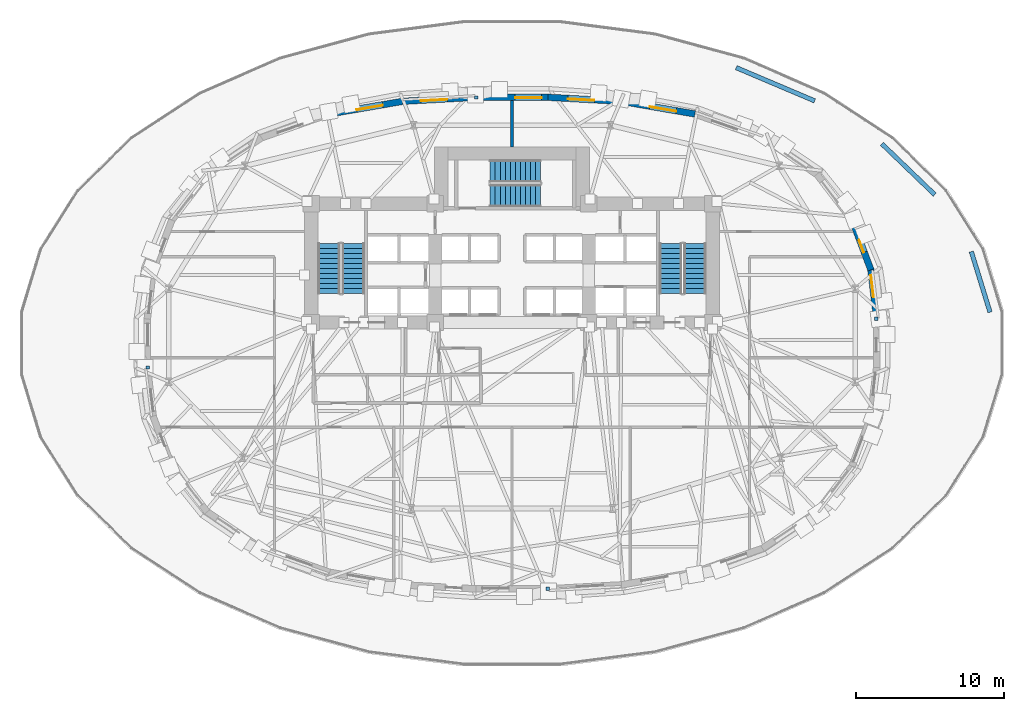
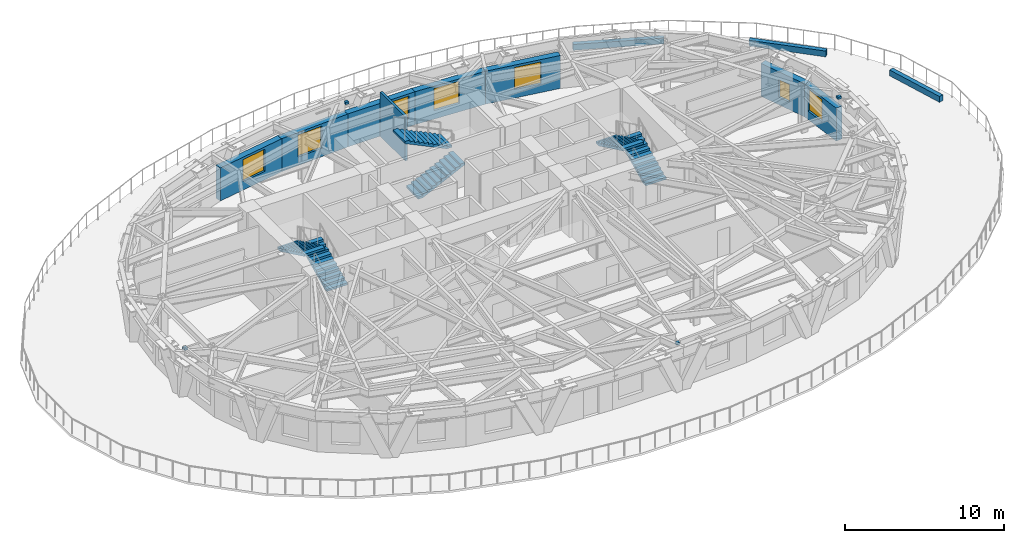
# One storey, part 9 of 14: 11 walls, 7 windows, 6 stair flights, 4 discrete accessories, 7 openings, 3 elements without a shape of their own.
"""IFC4 building model written with IfcOpenShell, lengths in metres."""

from ifc_helpers import new_model, si_unit, direction, frame, frame_2d, origin, origin_2d, place, context, subcontext, project, spatial, polyline, rectangle, outline, extrude, material, layer, layer_set, type_object, element, fill, aggregate, save


model = new_model("IFC4")

# Units and contexts
model_context = context("Model", 3, precision=1e-05, world=origin(), true_north=direction((0.0, 1.0)))
body_context = subcontext(model_context, "Body", "Model", "MODEL_VIEW")
ifc_project = project(units=[si_unit("LENGTHUNIT", "METRE"), si_unit("AREAUNIT", "SQUARE_METRE"), si_unit("VOLUMEUNIT", "CUBIC_METRE"), si_unit("PLANEANGLEUNIT", "RADIAN"), si_unit("MASSUNIT", "GRAM", prefix="KILO")], contexts=[model_context])

# Site, building, storey
site_placement = place(None, origin())
site = spatial("IfcSite", under=ifc_project, at=site_placement, CompositionType="ELEMENT")
building_placement = place(site_placement, origin())
building = spatial("IfcBuilding", under=site, at=building_placement, Name="Keldmark Tower", CompositionType="ELEMENT")
storey_placement = place(building_placement, frame((0.0, 0.0, 27.0)))
storey = spatial("IfcBuildingStorey", under=building, at=storey_placement, Name="L06", CompositionType="ELEMENT", Elevation=27.0)

# Walls
ifc_material_1 = material(Name="STC-58 Insulated Tenant Demising Gypsum Partition", Category="gypsum")
ifc_layer_1 = layer(ifc_material_1, 0.175048828125)
ifc_layer_set_1 = layer_set([ifc_layer_1], Name="STC-58 Insulated Tenant Demising Gypsum Partition")
wall_type_1 = type_object("IfcWallType", Name="Demising Suite Partition 175 mm", PredefinedType="PARTITIONING", material=ifc_layer_set_1)
wall_1_placement = place(storey_placement, frame((0.0, 13.300048828125, 0.0), z_axis=(0.0, 0.0, 1.0), x_axis=(0.0, 1.0, 0.0)))
element("IfcWall", 1, at=wall_1_placement, inside=storey, type_object=wall_type_1, Name="L06 Demising Suite Partition 175 mm N-MID-DIV", PredefinedType="PARTITIONING", context=body_context, shape_type="SweptSolid", body=[
    extrude(rectangle(XDim=3.127685546875, YDim=0.175048828125, at=frame_2d((1.56396484375, 0.0))), origin(), (0.0, 0.0, 1.0), 3.39990234375),
])
ifc_material_2 = material(Name="Ironspot Manganese Brick Planter Masonry", Category="masonry")
ifc_layer_2 = layer(ifc_material_2, 0.300048828125)
ifc_layer_set_2 = layer_set([ifc_layer_2], Name="Ironspot Manganese Brick Planter Masonry")
wall_type_2 = type_object("IfcWallType", Name="Terrace Brick Planter Kerb Wall 300 mm", PredefinedType="PARAPET", material=ifc_layer_set_2)
wall_2_placement = place(storey_placement, frame((32.390625, 2.09521484375, 0.0), z_axis=(0.0, 0.0, 1.0), x_axis=(-0.294441252458, 0.95566958142, 0.0)))
element("IfcWall", 2, at=wall_2_placement, inside=storey, type_object=wall_type_2, Name="L06 Sky Garden Planter 01", PredefinedType="PARAPET", context=body_context, shape_type="SweptSolid", body=[
    extrude(rectangle(XDim=4.2958984375, YDim=0.300048828125, at=frame_2d((2.14794921875, 0.0))), origin(), (0.0, 0.0, 1.0), 0.449951171875),
])
wall_3_placement = place(storey_placement, frame((28.64794921875, 10.05615234375, 0.0), z_axis=(0.0, 0.0, 1.0), x_axis=(-0.720874531969, 0.69306558792, 0.0)))
element("IfcWall", 3, at=wall_3_placement, inside=storey, type_object=wall_type_2, Name="L06 Sky Garden Planter 03", PredefinedType="PARAPET", context=body_context, shape_type="SweptSolid", body=[
    extrude(rectangle(XDim=4.977783203125, YDim=0.300048828125, at=frame_2d((2.48876953125, 0.0))), origin(), (0.0, 0.0, 1.0), 0.449951171875),
])
wall_4_placement = place(storey_placement, frame((20.510498046875, 16.41259765625, 0.0), z_axis=(0.0, 0.0, 1.0), x_axis=(-0.92078980582, 0.390059141026, 0.0)))
element("IfcWall", 4, at=wall_4_placement, inside=storey, type_object=wall_type_2, Name="L06 Sky Garden Planter 05", PredefinedType="PARAPET", context=body_context, shape_type="SweptSolid", body=[
    extrude(rectangle(XDim=5.77587890625, YDim=0.300048828125, at=frame_2d((2.887939453125, 0.0))), origin(), (0.0, 0.0, 1.0), 0.449951171875),
])

# Wall, opening, window
ifc_material_3 = material(Name="Ironspot Manganese Brick and Kasota Buff Limestone Spandrel Assembly", Category="masonry")
ifc_layer_3 = layer(ifc_material_3, 0.43994140625)
ifc_layer_set_3 = layer_set([ifc_layer_3], Name="Ironspot Manganese Brick and Kasota Buff Limestone Spandrel Assembly")
wall_type_3 = type_object("IfcWallType", Name="Tower Brick Pier and Spandrel Wall 440 mm", PredefinedType="STANDARD", material=ifc_layer_set_3)
wall_5_placement = place(storey_placement, frame((24.30810546875, 5.01025390625, 0.0), z_axis=(0.0, 0.0, 1.0), x_axis=(0.118754274869, -0.992923673905, 0.0)))
wall_5 = element("IfcWall", 5, at=wall_5_placement, inside=storey, type_object=wall_type_3, Name="L06 Exterior Brick and Spandrel Wall 01", PredefinedType="STANDARD", context=body_context, shape_type="SweptSolid", body=[
    extrude(rectangle(XDim=3.398193359375, YDim=0.43994140625, at=frame_2d((1.69921875, 0.0))), origin(), (0.0, 0.0, 1.0), 2.532958984375),
])
opening_1_placement = place(wall_5_placement, frame((0.39990234375, 0.0, 0.64990234375)))
opening_1 = element("IfcOpeningElement", 6, at=opening_1_placement, cuts=wall_5, Name="Opening W-03", PredefinedType="OPENING", context=body_context, shape_type="SweptSolid", body=[
    extrude(rectangle(XDim=1.5, YDim=1.699951171875, at=frame_2d((0.75, 0.85009765625))), frame((0.0, 0.22998046875, 0.0), z_axis=(0.0, -1.0, 0.0), x_axis=(1.0, 0.0, 0.0)), (0.0, 0.0, 1.0), 0.4599609375),
])
ifc_material_4 = material(Name="Thermally Broken Anodized Aluminum and Triple Low-E Argon Glazing", Category="aluminium")
window_type_1 = type_object("IfcWindowType", Name="Office Corner Deep-Set Window 1500x1700", PartitioningType="DOUBLE_PANEL_VERTICAL", PredefinedType="WINDOW", material=ifc_material_4)
window_1_placement = place(opening_1_placement, origin())
window_1 = element("IfcWindow", 7, at=window_1_placement, inside=storey, type_object=window_type_1, Name="L06 Deep-Set Window 01", OverallHeight=1.699951171875, OverallWidth=1.5, PartitioningType="SINGLE_PANEL", PredefinedType="WINDOW", context=body_context, shape_type="SweptSolid", body=[
    extrude(rectangle(XDim=1.5, YDim=1.699951171875, at=frame_2d((0.75, 0.85009765625))), frame((0.0, -0.010009765625, 0.0), z_axis=(0.0, -1.0, 0.0), x_axis=(1.0, 0.0, 0.0)), (0.0, 0.0, 1.0), 0.06005859375),
])
fill(opening_1, window_1)

wall_6_placement = place(storey_placement, frame((23.05029296875, 8.337158203125, 0.0), z_axis=(0.0, 0.0, 1.0), x_axis=(0.351960996761, -0.936014666957, 0.0)))
wall_6 = element("IfcWall", 8, at=wall_6_placement, inside=storey, type_object=wall_type_3, Name="L06 Exterior Brick and Spandrel Wall 02", PredefinedType="STANDARD", context=body_context, shape_type="SweptSolid", body=[
    extrude(rectangle(XDim=3.609130859375, YDim=0.43994140625, at=frame_2d((1.8046875, 0.0))), origin(), (0.0, 0.0, 1.0), 2.532958984375),
])
opening_2_placement = place(wall_6_placement, frame((1.42822265625, 0.0, 0.580078125)))
opening_2 = element("IfcOpeningElement", 9, at=opening_2_placement, cuts=wall_6, Name="Opening W-09", PredefinedType="OPENING", context=body_context, shape_type="SweptSolid", body=[
    extrude(rectangle(XDim=0.89990234375, YDim=1.35009765625, at=frame_2d((0.449951171875, 0.675048828125))), frame((0.0, 0.22998046875, 0.0), z_axis=(0.0, -1.0, 0.0), x_axis=(1.0, 0.0, 0.0)), (0.0, 0.0, 1.0), 0.4599609375),
])
ifc_material_5 = material(Name="Thermally Broken Anodized Aluminum and Triple Low-E Argon Glazing", Category="aluminium")
window_type_2 = type_object("IfcWindowType", Name="Corner Pier Deep-Set Window 900x1350", PartitioningType="SINGLE_PANEL", PredefinedType="WINDOW", material=ifc_material_5)
window_2_placement = place(opening_2_placement, origin())
window_2 = element("IfcWindow", 10, at=window_2_placement, inside=storey, type_object=window_type_2, Name="L06 Deep-Set Window 02", OverallHeight=1.35009765625, OverallWidth=0.89990234375, PartitioningType="SINGLE_PANEL", PredefinedType="WINDOW", context=body_context, shape_type="SweptSolid", body=[
    extrude(rectangle(XDim=0.89990234375, YDim=1.35009765625, at=frame_2d((0.449951171875, 0.675048828125))), frame((0.0, -0.010009765625, 0.0), z_axis=(0.0, -1.0, 0.0), x_axis=(1.0, 0.0, 0.0)), (0.0, 0.0, 1.0), 0.06005859375),
])
fill(opening_2, window_2)

wall_7_placement = place(storey_placement, frame((7.402587890625, 16.3857421875, 0.0), z_axis=(0.0, 0.0, 1.0), x_axis=(0.985480149415, -0.169790680278, 0.0)))
wall_7 = element("IfcWall", 11, at=wall_7_placement, inside=storey, type_object=wall_type_3, Name="L06 Exterior Brick and Spandrel Wall 06", PredefinedType="STANDARD", context=body_context, shape_type="SweptSolid", body=[
    extrude(rectangle(XDim=5.064208984375, YDim=0.43994140625, at=frame_2d((2.5322265625, 0.0))), origin(), (0.0, 0.0, 1.0), 2.532958984375),
])
opening_3_placement = place(wall_7_placement, frame((1.977783203125, 0.0, 0.64990234375)))
opening_3 = element("IfcOpeningElement", 12, at=opening_3_placement, cuts=wall_7, Name="Opening W-02", PredefinedType="OPENING", context=body_context, shape_type="SweptSolid", body=[
    extrude(rectangle(XDim=1.800048828125, YDim=1.699951171875, at=frame_2d((0.89990234375, 0.85009765625))), frame((0.0, 0.22998046875, 0.0), z_axis=(0.0, -1.0, 0.0), x_axis=(1.0, 0.0, 0.0)), (0.0, 0.0, 1.0), 0.4599609375),
])
ifc_material_6 = material(Name="Thermally Broken Anodized Aluminum and Triple Low-E Argon Glazing", Category="aluminium")
window_type_3 = type_object("IfcWindowType", Name="Office Deep-Set Triple Window 1800x1700", PartitioningType="TRIPLE_PANEL_VERTICAL", PredefinedType="WINDOW", material=ifc_material_6)
window_3_placement = place(opening_3_placement, origin())
window_3 = element("IfcWindow", 13, at=window_3_placement, inside=storey, type_object=window_type_3, Name="L06 Deep-Set Window 06", OverallHeight=1.699951171875, OverallWidth=1.800048828125, PartitioningType="SINGLE_PANEL", PredefinedType="WINDOW", context=body_context, shape_type="SweptSolid", body=[
    extrude(rectangle(XDim=1.800048828125, YDim=1.699951171875, at=frame_2d((0.89990234375, 0.85009765625))), frame((0.0, -0.010009765625, 0.0), z_axis=(0.0, -1.0, 0.0), x_axis=(1.0, 0.0, 0.0)), (0.0, 0.0, 1.0), 0.06005859375),
])
fill(opening_3, window_3)

wall_8_placement = place(storey_placement, frame((2.443359375, 16.656005859375, 0.0), z_axis=(0.0, 0.0, 1.0), x_axis=(0.998501456853, -0.054725137396, 0.0)))
wall_8 = element("IfcWall", 14, at=wall_8_placement, inside=storey, type_object=wall_type_3, Name="L06 Exterior Brick and Spandrel Wall 07", PredefinedType="STANDARD", context=body_context, shape_type="SweptSolid", body=[
    extrude(rectangle(XDim=4.9921875, YDim=0.43994140625, at=frame_2d((2.49609375, 0.0))), origin(), (0.0, 0.0, 1.0), 2.532958984375),
])
opening_4_placement = place(wall_8_placement, frame((1.3466796875, 0.0, 0.64990234375)))
opening_4 = element("IfcOpeningElement", 15, at=opening_4_placement, cuts=wall_8, Name="Opening W-02", PredefinedType="OPENING", context=body_context, shape_type="SweptSolid", body=[
    extrude(rectangle(XDim=1.800048828125, YDim=1.699951171875, at=frame_2d((0.89990234375, 0.85009765625))), frame((0.0, 0.22998046875, 0.0), z_axis=(0.0, -1.0, 0.0), x_axis=(1.0, 0.0, 0.0)), (0.0, 0.0, 1.0), 0.4599609375),
])
window_4_placement = place(opening_4_placement, origin())
window_4 = element("IfcWindow", 16, at=window_4_placement, inside=storey, type_object=window_type_3, Name="L06 Deep-Set Window 07", OverallHeight=1.699951171875, OverallWidth=1.800048828125, PartitioningType="SINGLE_PANEL", PredefinedType="WINDOW", context=body_context, shape_type="SweptSolid", body=[
    extrude(rectangle(XDim=1.800048828125, YDim=1.699951171875, at=frame_2d((0.89990234375, 0.85009765625))), frame((0.0, -0.010009765625, 0.0), z_axis=(0.0, -1.0, 0.0), x_axis=(1.0, 0.0, 0.0)), (0.0, 0.0, 1.0), 0.06005859375),
])
fill(opening_4, window_4)

wall_9_placement = place(storey_placement, frame((-2.455322265625, 16.65576171875, 0.0), z_axis=(0.0, 0.0, 1.0), x_axis=(1.0, 0.0, 0.0)))
wall_9 = element("IfcWall", 17, at=wall_9_placement, inside=storey, type_object=wall_type_3, Name="L06 Exterior Brick and Spandrel Wall 08", PredefinedType="STANDARD", context=body_context, shape_type="SweptSolid", body=[
    extrude(rectangle(XDim=4.91064453125, YDim=0.43994140625, at=frame_2d((2.455322265625, 0.0))), origin(), (0.0, 0.0, 1.0), 2.532958984375),
])
opening_5_placement = place(wall_9_placement, frame((2.664306640625, 0.0, 0.64990234375)))
opening_5 = element("IfcOpeningElement", 18, at=opening_5_placement, cuts=wall_9, Name="Opening W-02", PredefinedType="OPENING", context=body_context, shape_type="SweptSolid", body=[
    extrude(rectangle(XDim=1.800048828125, YDim=1.699951171875, at=frame_2d((0.89990234375, 0.85009765625))), frame((0.0, 0.22998046875, 0.0), z_axis=(0.0, -1.0, 0.0), x_axis=(1.0, 0.0, 0.0)), (0.0, 0.0, 1.0), 0.4599609375),
])
window_5_placement = place(opening_5_placement, origin())
window_5 = element("IfcWindow", 19, at=window_5_placement, inside=storey, type_object=window_type_3, Name="L06 Deep-Set Window 08", OverallHeight=1.699951171875, OverallWidth=1.800048828125, PartitioningType="SINGLE_PANEL", PredefinedType="WINDOW", context=body_context, shape_type="SweptSolid", body=[
    extrude(rectangle(XDim=1.800048828125, YDim=1.699951171875, at=frame_2d((0.89990234375, 0.85009765625))), frame((0.0, -0.010009765625, 0.0), z_axis=(0.0, -1.0, 0.0), x_axis=(1.0, 0.0, 0.0)), (0.0, 0.0, 1.0), 0.06005859375),
])
fill(opening_5, window_5)

wall_10_placement = place(storey_placement, frame((-7.427978515625, 16.3828125, 0.0), z_axis=(0.0, 0.0, 1.0), x_axis=(0.998501456853, 0.054725137396, 0.0)))
wall_10 = element("IfcWall", 20, at=wall_10_placement, inside=storey, type_object=wall_type_3, Name="L06 Exterior Brick and Spandrel Wall 09", PredefinedType="STANDARD", context=body_context, shape_type="SweptSolid", body=[
    extrude(rectangle(XDim=4.9921875, YDim=0.43994140625, at=frame_2d((2.49609375, 0.0))), origin(), (0.0, 0.0, 1.0), 2.532958984375),
])
opening_6_placement = place(wall_10_placement, frame((1.2470703125, 0.0, 0.64990234375)))
opening_6 = element("IfcOpeningElement", 21, at=opening_6_placement, cuts=wall_10, Name="Opening W-02", PredefinedType="OPENING", context=body_context, shape_type="SweptSolid", body=[
    extrude(rectangle(XDim=1.800048828125, YDim=1.699951171875, at=frame_2d((0.89990234375, 0.85009765625))), frame((0.0, 0.22998046875, 0.0), z_axis=(0.0, -1.0, 0.0), x_axis=(1.0, 0.0, 0.0)), (0.0, 0.0, 1.0), 0.4599609375),
])
window_6_placement = place(opening_6_placement, origin())
window_6 = element("IfcWindow", 22, at=window_6_placement, inside=storey, type_object=window_type_3, Name="L06 Deep-Set Window 09", OverallHeight=1.699951171875, OverallWidth=1.800048828125, PartitioningType="SINGLE_PANEL", PredefinedType="WINDOW", context=body_context, shape_type="SweptSolid", body=[
    extrude(rectangle(XDim=1.800048828125, YDim=1.699951171875, at=frame_2d((0.89990234375, 0.85009765625))), frame((0.0, -0.010009765625, 0.0), z_axis=(0.0, -1.0, 0.0), x_axis=(1.0, 0.0, 0.0)), (0.0, 0.0, 1.0), 0.06005859375),
])
fill(opening_6, window_6)

wall_11_placement = place(storey_placement, frame((-12.393310546875, 15.52587890625, 0.0), z_axis=(0.0, 0.0, 1.0), x_axis=(0.985480149415, 0.169790680278, 0.0)))
wall_11 = element("IfcWall", 23, at=wall_11_placement, inside=storey, type_object=wall_type_3, Name="L06 Exterior Brick and Spandrel Wall 10", PredefinedType="STANDARD", context=body_context, shape_type="SweptSolid", body=[
    extrude(rectangle(XDim=5.064208984375, YDim=0.43994140625, at=frame_2d((2.5322265625, 0.0))), origin(), (0.0, 0.0, 1.0), 2.532958984375),
])
opening_7_placement = place(wall_11_placement, frame((1.87890625, 0.0, 0.64990234375)))
opening_7 = element("IfcOpeningElement", 24, at=opening_7_placement, cuts=wall_11, Name="Opening W-02", PredefinedType="OPENING", context=body_context, shape_type="SweptSolid", body=[
    extrude(rectangle(XDim=1.800048828125, YDim=1.699951171875, at=frame_2d((0.89990234375, 0.85009765625))), frame((0.0, 0.22998046875, 0.0), z_axis=(0.0, -1.0, 0.0), x_axis=(1.0, 0.0, 0.0)), (0.0, 0.0, 1.0), 0.4599609375),
])
window_7_placement = place(opening_7_placement, origin())
window_7 = element("IfcWindow", 25, at=window_7_placement, inside=storey, type_object=window_type_3, Name="L06 Deep-Set Window 10", OverallHeight=1.699951171875, OverallWidth=1.800048828125, PartitioningType="SINGLE_PANEL", PredefinedType="WINDOW", context=body_context, shape_type="SweptSolid", body=[
    extrude(rectangle(XDim=1.800048828125, YDim=1.699951171875, at=frame_2d((0.89990234375, 0.85009765625))), frame((0.0, -0.010009765625, 0.0), z_axis=(0.0, -1.0, 0.0), x_axis=(1.0, 0.0, 0.0)), (0.0, 0.0, 1.0), 0.06005859375),
])
fill(opening_7, window_7)

# Stair, stair flights
ifc_material_7 = material(Name="Concrete C40/50", Category="concrete")
stair_type = type_object("IfcStairType", Name="Precast Concrete Core Exit Stair", PredefinedType="HALF_TURN_STAIR", material=ifc_material_7)
stair_1_placement = place(storey_placement, origin())
stair_1 = element("IfcStair", 26, at=stair_1_placement, inside=storey, type_object=stair_type, Name="L06 Exit Stair ST1", PredefinedType="HALF_TURN_STAIR")
ifc_material_8 = material(Name="Concrete C40/50", Category="concrete")
stair_flight_type = type_object("IfcStairFlightType", Name="Precast Concrete Stair Flight 1500 mm", PredefinedType="STRAIGHT", material=ifc_material_8)
stair_flight_1_placement = place(storey_placement, frame((-10.75, 3.35009765625, 0.0), z_axis=(0.0, 0.0, 1.0), x_axis=(0.0, 1.0, 0.0)))
stair_flight_1 = element("IfcStairFlight", 27, at=stair_flight_1_placement, type_object=stair_flight_type, Name="ST1 flight 1", NumberOfRisers=11, NumberOfTreads=10, PredefinedType="STRAIGHT", RiserHeight=0.163636364, TreadLength=0.34, context=body_context, shape_type="SweptSolid", body=[
    extrude(outline(polyline([(0.0, 0.0), (0.0, 0.16357421875), (0.340087890625, 0.16357421875), (0.340087890625, 0.327392578125), (0.679931640625, 0.327392578125), (0.679931640625, 0.490966796875), (1.02001953125, 0.490966796875), (1.02001953125, 0.654541015625), (1.360107421875, 0.654541015625), (1.360107421875, 0.818115234375), (1.699951171875, 0.818115234375), (1.699951171875, 0.98193359375), (2.0400390625, 0.98193359375), (2.0400390625, 1.1455078125), (2.3798828125, 1.1455078125), (2.3798828125, 1.30908203125), (2.719970703125, 1.30908203125), (2.719970703125, 1.47265625), (3.06005859375, 1.47265625), (3.06005859375, 1.636474609375), (3.39990234375, 1.636474609375), (3.39990234375, 1.800048828125), (3.39990234375, 1.469970703125), (0.345703125, 0.0), (0.0, 0.0)])), frame((0.0, 0.75, 0.0), z_axis=(0.0, -1.0, 0.0), x_axis=(1.0, 0.0, 0.0)), (0.0, 0.0, 1.0), 1.5),
])
stair_flight_2_placement = place(storey_placement, frame((-12.39990234375, 6.75, 1.800048828125), z_axis=(0.0, 0.0, 1.0), x_axis=(0.0, -1.0, 0.0)))
stair_flight_2 = element("IfcStairFlight", 28, at=stair_flight_2_placement, type_object=stair_flight_type, Name="ST1 flight 2", NumberOfRisers=11, NumberOfTreads=10, PredefinedType="STRAIGHT", RiserHeight=0.163636364, TreadLength=0.34, context=body_context, shape_type="SweptSolid", body=[
    extrude(outline(polyline([(0.0, 0.0), (0.0, 0.16357421875), (0.340087890625, 0.16357421875), (0.340087890625, 0.327392578125), (0.679931640625, 0.327392578125), (0.679931640625, 0.490966796875), (1.02001953125, 0.490966796875), (1.02001953125, 0.654541015625), (1.360107421875, 0.654541015625), (1.360107421875, 0.818115234375), (1.699951171875, 0.818115234375), (1.699951171875, 0.98193359375), (2.0400390625, 0.98193359375), (2.0400390625, 1.1455078125), (2.3798828125, 1.1455078125), (2.3798828125, 1.30908203125), (2.719970703125, 1.30908203125), (2.719970703125, 1.47265625), (3.06005859375, 1.47265625), (3.06005859375, 1.636474609375), (3.39990234375, 1.636474609375), (3.39990234375, 1.800048828125), (3.39990234375, 1.469970703125), (0.345703125, 0.0), (0.0, 0.0)])), frame((0.0, 0.75, 0.0), z_axis=(0.0, -1.0, 0.0), x_axis=(1.0, 0.0, 0.0)), (0.0, 0.0, 1.0), 1.5),
])
aggregate(stair_1, [stair_flight_1, stair_flight_2])

stair_2_placement = place(storey_placement, origin())
stair_2 = element("IfcStair", 29, at=stair_2_placement, inside=storey, type_object=stair_type, Name="L06 Exit Stair ST2", PredefinedType="HALF_TURN_STAIR")
stair_flight_3_placement = place(storey_placement, frame((12.39990234375, 3.35009765625, 0.0), z_axis=(0.0, 0.0, 1.0), x_axis=(0.0, 1.0, 0.0)))
stair_flight_3 = element("IfcStairFlight", 30, at=stair_flight_3_placement, type_object=stair_flight_type, Name="ST2 flight 1", NumberOfRisers=11, NumberOfTreads=10, PredefinedType="STRAIGHT", RiserHeight=0.163636364, TreadLength=0.34, context=body_context, shape_type="SweptSolid", body=[
    extrude(outline(polyline([(0.0, 0.0), (0.0, 0.16357421875), (0.340087890625, 0.16357421875), (0.340087890625, 0.327392578125), (0.679931640625, 0.327392578125), (0.679931640625, 0.490966796875), (1.02001953125, 0.490966796875), (1.02001953125, 0.654541015625), (1.360107421875, 0.654541015625), (1.360107421875, 0.818115234375), (1.699951171875, 0.818115234375), (1.699951171875, 0.98193359375), (2.0400390625, 0.98193359375), (2.0400390625, 1.1455078125), (2.3798828125, 1.1455078125), (2.3798828125, 1.30908203125), (2.719970703125, 1.30908203125), (2.719970703125, 1.47265625), (3.06005859375, 1.47265625), (3.06005859375, 1.636474609375), (3.39990234375, 1.636474609375), (3.39990234375, 1.800048828125), (3.39990234375, 1.469970703125), (0.345703125, 0.0), (0.0, 0.0)])), frame((0.0, 0.75, 0.0), z_axis=(0.0, -1.0, 0.0), x_axis=(1.0, 0.0, 0.0)), (0.0, 0.0, 1.0), 1.5),
])
stair_flight_4_placement = place(storey_placement, frame((10.75, 6.75, 1.800048828125), z_axis=(0.0, 0.0, 1.0), x_axis=(0.0, -1.0, 0.0)))
stair_flight_4 = element("IfcStairFlight", 31, at=stair_flight_4_placement, type_object=stair_flight_type, Name="ST2 flight 2", NumberOfRisers=11, NumberOfTreads=10, PredefinedType="STRAIGHT", RiserHeight=0.163636364, TreadLength=0.34, context=body_context, shape_type="SweptSolid", body=[
    extrude(outline(polyline([(0.0, 0.0), (0.0, 0.16357421875), (0.340087890625, 0.16357421875), (0.340087890625, 0.327392578125), (0.679931640625, 0.327392578125), (0.679931640625, 0.490966796875), (1.02001953125, 0.490966796875), (1.02001953125, 0.654541015625), (1.360107421875, 0.654541015625), (1.360107421875, 0.818115234375), (1.699951171875, 0.818115234375), (1.699951171875, 0.98193359375), (2.0400390625, 0.98193359375), (2.0400390625, 1.1455078125), (2.3798828125, 1.1455078125), (2.3798828125, 1.30908203125), (2.719970703125, 1.30908203125), (2.719970703125, 1.47265625), (3.06005859375, 1.47265625), (3.06005859375, 1.636474609375), (3.39990234375, 1.636474609375), (3.39990234375, 1.800048828125), (3.39990234375, 1.469970703125), (0.345703125, 0.0), (0.0, 0.0)])), frame((0.0, 0.75, 0.0), z_axis=(0.0, -1.0, 0.0), x_axis=(1.0, 0.0, 0.0)), (0.0, 0.0, 1.0), 1.5),
])
aggregate(stair_2, [stair_flight_3, stair_flight_4])

stair_3_placement = place(storey_placement, origin())
stair_3 = element("IfcStair", 32, at=stair_3_placement, inside=storey, type_object=stair_type, Name="L06 Exit Stair ST3", PredefinedType="HALF_TURN_STAIR")
stair_flight_5_placement = place(storey_placement, frame((-1.47509765625, 10.0, 0.0), z_axis=(0.0, 0.0, 1.0), x_axis=(1.0, 0.0, 0.0)))
stair_flight_5 = element("IfcStairFlight", 33, at=stair_flight_5_placement, type_object=stair_flight_type, Name="ST3 flight 1", NumberOfRisers=11, NumberOfTreads=10, PredefinedType="STRAIGHT", RiserHeight=0.163636364, TreadLength=0.34, context=body_context, shape_type="SweptSolid", body=[
    extrude(outline(polyline([(0.0, 0.0), (0.0, 0.16357421875), (0.340087890625, 0.16357421875), (0.340087890625, 0.327392578125), (0.679931640625, 0.327392578125), (0.679931640625, 0.490966796875), (1.02001953125, 0.490966796875), (1.02001953125, 0.654541015625), (1.360107421875, 0.654541015625), (1.360107421875, 0.818115234375), (1.699951171875, 0.818115234375), (1.699951171875, 0.98193359375), (2.0400390625, 0.98193359375), (2.0400390625, 1.1455078125), (2.3798828125, 1.1455078125), (2.3798828125, 1.30908203125), (2.719970703125, 1.30908203125), (2.719970703125, 1.47265625), (3.06005859375, 1.47265625), (3.06005859375, 1.636474609375), (3.39990234375, 1.636474609375), (3.39990234375, 1.800048828125), (3.39990234375, 1.469970703125), (0.345703125, 0.0), (0.0, 0.0)])), frame((0.0, 0.75, 0.0), z_axis=(0.0, -1.0, 0.0), x_axis=(1.0, 0.0, 0.0)), (0.0, 0.0, 1.0), 1.5),
])
stair_flight_6_placement = place(storey_placement, frame((1.925048828125, 11.64990234375, 1.800048828125), z_axis=(0.0, 0.0, 1.0), x_axis=(-1.0, 0.0, 0.0)))
stair_flight_6 = element("IfcStairFlight", 34, at=stair_flight_6_placement, type_object=stair_flight_type, Name="ST3 flight 2", NumberOfRisers=11, NumberOfTreads=10, PredefinedType="STRAIGHT", RiserHeight=0.163636364, TreadLength=0.34, context=body_context, shape_type="SweptSolid", body=[
    extrude(outline(polyline([(0.0, 0.0), (0.0, 0.16357421875), (0.340087890625, 0.16357421875), (0.340087890625, 0.327392578125), (0.679931640625, 0.327392578125), (0.679931640625, 0.490966796875), (1.02001953125, 0.490966796875), (1.02001953125, 0.654541015625), (1.360107421875, 0.654541015625), (1.360107421875, 0.818115234375), (1.699951171875, 0.818115234375), (1.699951171875, 0.98193359375), (2.0400390625, 0.98193359375), (2.0400390625, 1.1455078125), (2.3798828125, 1.1455078125), (2.3798828125, 1.30908203125), (2.719970703125, 1.30908203125), (2.719970703125, 1.47265625), (3.06005859375, 1.47265625), (3.06005859375, 1.636474609375), (3.39990234375, 1.636474609375), (3.39990234375, 1.800048828125), (3.39990234375, 1.469970703125), (0.345703125, 0.0), (0.0, 0.0)])), frame((0.0, 0.75, 0.0), z_axis=(0.0, -1.0, 0.0), x_axis=(1.0, 0.0, 0.0)), (0.0, 0.0, 1.0), 1.5),
])
aggregate(stair_3, [stair_flight_5, stair_flight_6])

# Discrete accessories
ifc_material_9 = material(Name="Hot-Dip Galvanized Steel ASTM A572 Grade 50", Category="steel")
discrete_accessory_type = type_object("IfcDiscreteAccessoryType", Name="Masonry Spandrel Shelf-Angle Bracket", PredefinedType="BRACKET", material=ifc_material_9)
for number, where, z_axis, x_axis, name in (
    (35, (24.690673828125, 1.64599609375, 3.2099609375), (0.0, 0.0, 1.0), (1.0, 0.0, 0.0), "L06 Masonry Shelf-Angle Bracket 00"),
    (36, (-2.4208984375, 16.63818359375, 3.2099609375), (0.0, 0.0, 1.0), (1.0, 0.0, 0.0), "L06 Masonry Shelf-Angle Bracket 08"),
    (37, (-24.690673828125, -1.64599609375, 3.2099609375), (0.0, 0.0, 1.0), (1.0, 0.0, 0.0), "L06 Masonry Shelf-Angle Bracket 16"),
    (38, (2.4208984375, -16.63818359375, 3.2099609375), (0.0, 0.0, 1.0), (1.0, 0.0, 0.0), "L06 Masonry Shelf-Angle Bracket 24"),
):
    element("IfcDiscreteAccessory", number, at=place(storey_placement, frame(where, z_axis=z_axis, x_axis=x_axis)), inside=storey, type_object=discrete_accessory_type, Name=name, PredefinedType="BRACKET", context=body_context, shape_type="SweptSolid", body=[
        extrude(rectangle(XDim=0.239990234375, YDim=0.219970703125, at=origin_2d()), origin(), (0.0, 0.0, 1.0), 0.179931640625),
    ])

save(model, "model.ifc")
